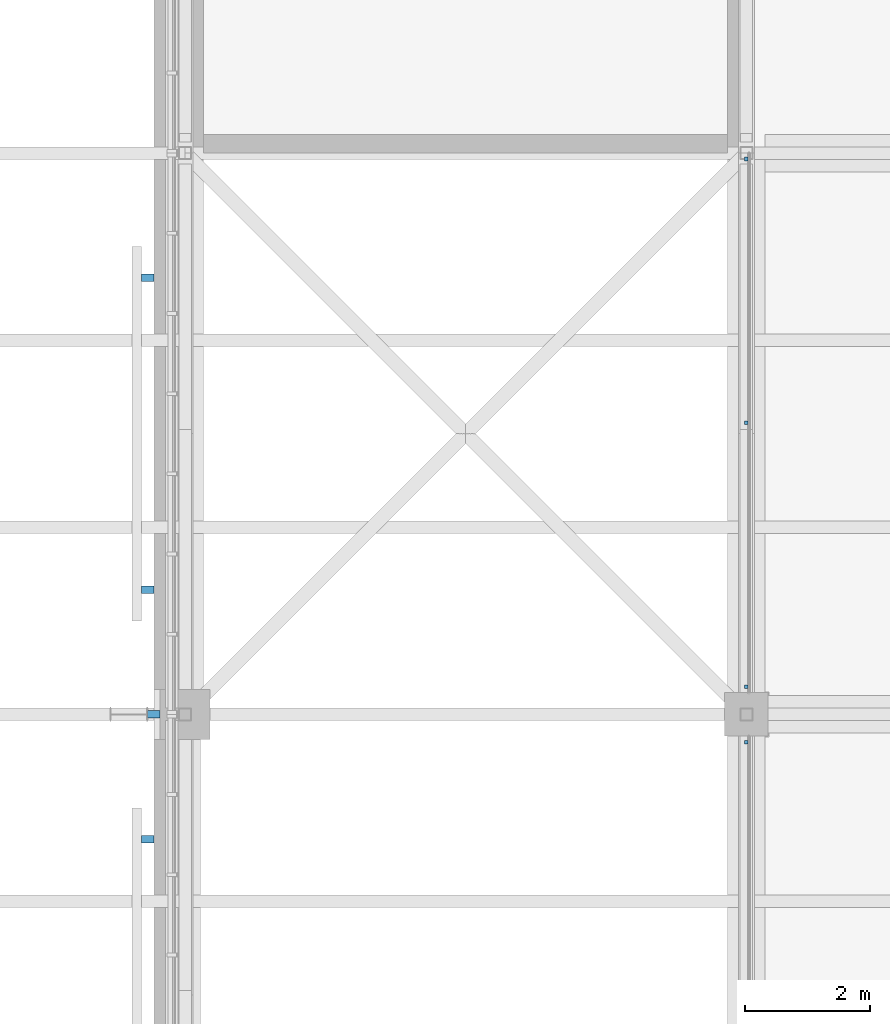
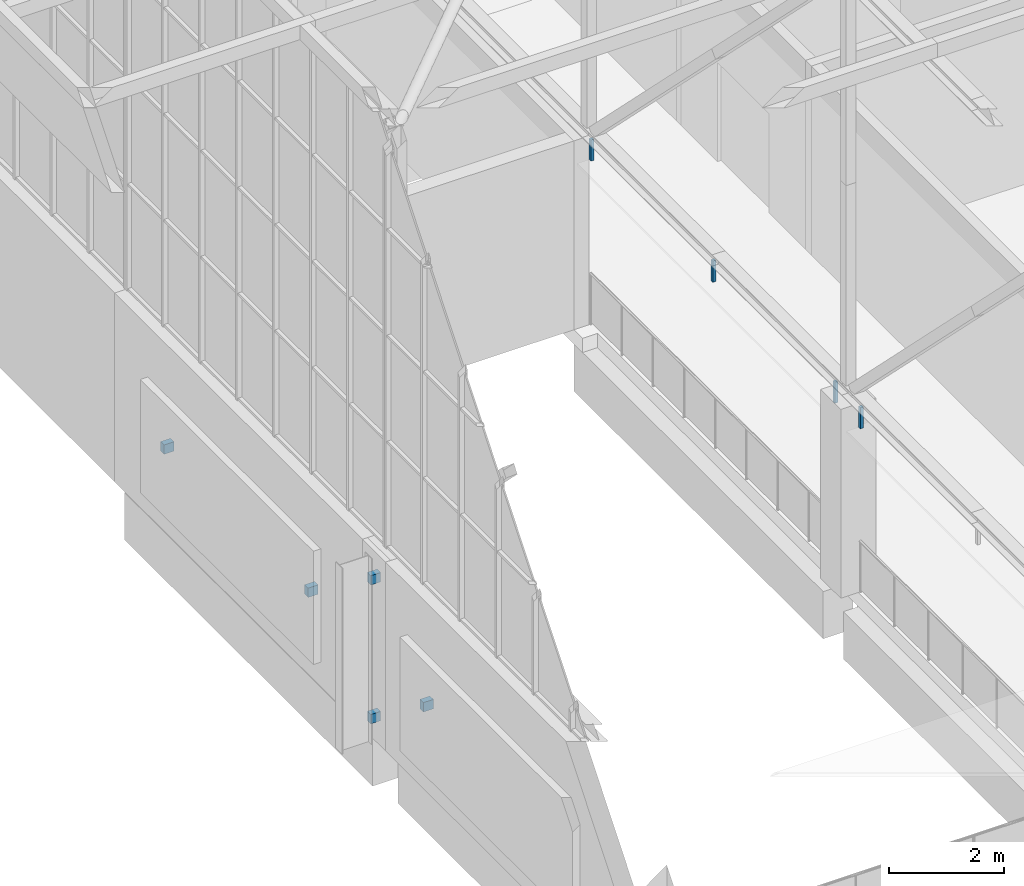
# One storey, part 183 of 646: 9 discrete accessories.
"""IFC4 building model written with IfcOpenShell, lengths in metres."""

import ifcopenshell
import ifcopenshell.guid

model = None  # the IFC model being written
_history = None  # IfcOwnerHistory: only IFC2X3 demands one
_inside = {}  # id of a spatial element -> (the spatial element, [elements in it])
_under = {}  # id of a project, library or spatial element -> (it, [spatial elements below it])
_declared = {}  # id of a project -> (the project, [libraries it declares])
_typed = {}  # id of a type object -> (the type object, [elements of that type])
_made_of = {}  # id of a material, layer set ... -> (it, [elements and type objects made of it])


def new_model(schema):
    """Start an empty IFC model of exactly this schema.

    Asked for "IFC4X3", IfcOpenShell would pick the latest addendum, in which some entities
    have other attributes; the version numbers below select the first issue.
    IFC2X3 requires an IfcOwnerHistory on every rooted entity: one is made here for all.
    """
    global model, _history
    if schema == "IFC4X3":
        model = ifcopenshell.file(schema_version=(4, 3, 0, 0))
    else:
        model = ifcopenshell.file(schema=schema)
    _inside.clear()
    _under.clear()
    _declared.clear()
    _typed.clear()
    _made_of.clear()
    _history = None
    if model.schema == "IFC2X3":
        org = make("IfcOrganization", Name="unknown")
        user = make(
            "IfcPersonAndOrganization",
            ThePerson=make("IfcPerson", FamilyName="unknown"),
            TheOrganization=org,
        )
        app = make(
            "IfcApplication",
            ApplicationDeveloper=org,
            Version="unknown",
            ApplicationFullName="unknown",
            ApplicationIdentifier="unknown",
        )
        _history = make(
            "IfcOwnerHistory",
            OwningUser=user,
            OwningApplication=app,
            ChangeAction="ADDED",
            CreationDate=0,
        )
    return model


def make(cls, **values):
    """One entity of the class cls with the attributes given. An attribute that is None is left unset."""
    return model.create_entity(
        cls, **{name: value for name, value in values.items() if value is not None}
    )


def rooted(cls, **values):
    """An entity with a GlobalId (a new one), such as an element, a storey or a relation."""
    return make(cls, GlobalId=ifcopenshell.guid.new(), OwnerHistory=_history, **values)


def si_unit(unit_type, name, prefix=None):
    """IfcSIUnit, for example si_unit("LENGTHUNIT", "METRE", prefix="MILLI")."""
    return make("IfcSIUnit", UnitType=unit_type, Prefix=prefix, Name=name)


def assignment(units):
    """IfcUnitAssignment: the units of a project."""
    return None if units is None else make("IfcUnitAssignment", Units=units)


def point(xyz):
    """IfcCartesianPoint."""
    return None if xyz is None else make("IfcCartesianPoint", Coordinates=xyz)


def direction(xyz):
    """IfcDirection."""
    return None if xyz is None else make("IfcDirection", DirectionRatios=xyz)


def frame(location, z_axis=None, x_axis=None):
    """IfcAxis2Placement3D, a coordinate frame: its origin and axes. An axis left out is left unset."""
    return make(
        "IfcAxis2Placement3D",
        Location=point(location),
        Axis=direction(z_axis),
        RefDirection=direction(x_axis),
    )


def frame_2d(location, x_axis=None):
    """IfcAxis2Placement2D, a coordinate frame in the plane: its origin and x axis."""
    return make(
        "IfcAxis2Placement2D", Location=point(location), RefDirection=direction(x_axis)
    )


def origin():
    """The frame at (0, 0, 0) with its axes left unset."""
    return frame((0.0, 0.0, 0.0))


def origin_2d():
    """The frame at (0, 0) in the plane with its x axis left unset."""
    return frame_2d((0.0, 0.0))


def place(relative_to, where):
    """IfcLocalPlacement: puts the frame where relative to a parent placement (None: the world)."""
    return make(
        "IfcLocalPlacement", PlacementRelTo=relative_to, RelativePlacement=where
    )


def context(
    kind, dimensions, precision=None, world=None, true_north=None, identifier=None
):
    """IfcGeometricRepresentationContext, for example the 3D "Model" context."""
    return make(
        "IfcGeometricRepresentationContext",
        ContextIdentifier=identifier,
        ContextType=kind,
        CoordinateSpaceDimension=dimensions,
        Precision=precision,
        WorldCoordinateSystem=world,
        TrueNorth=true_north,
    )


def subcontext(parent, identifier, kind, view, scale=None):
    """IfcGeometricRepresentationSubContext, for example "Body" below "Model"."""
    return make(
        "IfcGeometricRepresentationSubContext",
        ContextIdentifier=identifier,
        ContextType=kind,
        ParentContext=parent,
        TargetScale=scale,
        TargetView=view,
    )


def project(units=None, contexts=None):
    """IfcProject with its units and contexts."""
    return rooted(
        "IfcProject",
        Name="project",
        RepresentationContexts=contexts,
        UnitsInContext=assignment(units),
    )


def spatial(cls, under=None, at=None, **own):
    """A site, building, storey or space (cls), placed at a placement, below another one or the project."""
    s = rooted(cls, ObjectPlacement=at, **own)
    if under is not None:
        _under.setdefault(under.id(), (under, []))[1].append(s)
    return s


def profile(cls, at=None, kind="AREA", **sizes):
    """A parametric profile (cls). Its sizes go by their IFC names, for example OverallWidth=200.0."""
    return make(cls, ProfileType=kind, Position=at, **sizes)


def rectangle(**sizes):
    """IfcRectangleProfileDef."""
    return profile("IfcRectangleProfileDef", **sizes)


def extrude(swept, where, along, depth):
    """IfcExtrudedAreaSolid: the profile swept, set in the frame where, extruded along a direction by depth."""
    return make(
        "IfcExtrudedAreaSolid",
        SweptArea=swept,
        Position=where,
        ExtrudedDirection=direction(along),
        Depth=depth,
    )


def shape(context_of_items, identifier, shape_type, items):
    """IfcShapeRepresentation: the items that make up one representation, for example the "Body"."""
    return make(
        "IfcShapeRepresentation",
        ContextOfItems=context_of_items,
        RepresentationIdentifier=identifier,
        RepresentationType=shape_type,
        Items=items,
    )


def material(Name=None, Category=None):
    """IfcMaterial."""
    return make("IfcMaterial", Name=Name, Category=Category)


def made_of(thing, what):
    """Note that an element or type object is made of a material, layer set ...; save() writes the relation."""
    if what is not None:
        _made_of.setdefault(what.id(), (what, []))[1].append(thing)
    return thing


def type_object(cls, material=None, **own):
    """A type object (cls), such as IfcWallType, which elements share."""
    return made_of(rooted(cls, **own), material)


def element(
    cls,
    number,
    at=None,
    inside=None,
    cuts=None,
    type_object=None,
    material=None,
    context=None,
    identifier="Body",
    shape_type=None,
    held_by="IfcProductDefinitionShape",
    body=None,
    shapes=None,
    **own,
):
    """One element of the class cls, such as IfcWall. Its Tag is "e" and its number.

    at: its placement. inside: the storey or other place that contains it. cuts: it is an
    opening in that element (IfcRelVoidsElement). A single representation is given by context,
    identifier, shape_type and body (its items); several are given by shapes. held_by: the class
    of the entity that holds the representations. save() writes the other relations.
    """
    e = rooted(cls, Tag="e%d" % number, ObjectPlacement=at, **own)
    if body is not None:
        shapes = [shape(context, identifier, shape_type, body)]
    if shapes is not None:
        e.Representation = make(held_by, Representations=shapes)
    if inside is not None:
        _inside.setdefault(inside.id(), (inside, []))[1].append(e)
    if cuts is not None:
        rooted(
            "IfcRelVoidsElement", RelatingBuildingElement=cuts, RelatedOpeningElement=e
        )
    if type_object is not None:
        _typed.setdefault(type_object.id(), (type_object, []))[1].append(e)
    return made_of(e, material)


def aggregate(whole, parts):
    """IfcRelAggregates: a whole, such as a stair, and the parts it consists of."""
    return rooted("IfcRelAggregates", RelatingObject=whole, RelatedObjects=parts)


def save(model, path):
    """Write the relations noted so far, then the file.

    IfcRelAggregates (storeys below a building ...), IfcRelContainedInSpatialStructure (elements
    in a storey), IfcRelDefinesByType, IfcRelAssociatesMaterial and IfcRelDeclares: one each for
    every whole, place, type object, material and project.
    """
    for whole, parts in _under.values():
        aggregate(whole, parts)
    for where, things in _inside.values():
        rooted(
            "IfcRelContainedInSpatialStructure",
            RelatedElements=things,
            RelatingStructure=where,
        )
    for kind, things in _typed.values():
        rooted("IfcRelDefinesByType", RelatedObjects=things, RelatingType=kind)
    for what, things in _made_of.values():
        rooted("IfcRelAssociatesMaterial", RelatedObjects=things, RelatingMaterial=what)
    for by, libraries in _declared.values():
        rooted("IfcRelDeclares", RelatingContext=by, RelatedDefinitions=libraries)
    model.write(path)


model = new_model("IFC4")

# Units and contexts
model_context = context("Model", 3, precision=1e-05, world=origin(), true_north=direction((0.0, 1.0)))
body_context = subcontext(model_context, "Body", "Model", "MODEL_VIEW")
ifc_project = project(units=[si_unit("LENGTHUNIT", "METRE"), si_unit("AREAUNIT", "SQUARE_METRE"), si_unit("VOLUMEUNIT", "CUBIC_METRE"), si_unit("PLANEANGLEUNIT", "RADIAN"), si_unit("MASSUNIT", "GRAM", prefix="KILO")], contexts=[model_context])

# Site, building, storey
site_placement = place(None, origin())
site = spatial("IfcSite", under=ifc_project, at=site_placement, CompositionType="ELEMENT")
building_placement = place(site_placement, origin())
building = spatial("IfcBuilding", under=site, at=building_placement, Name="Silverbay Arena", CompositionType="ELEMENT")
storey_placement = place(building_placement, frame((0.0, 0.0, 33.5)))
storey = spatial("IfcBuildingStorey", under=building, at=storey_placement, Name="L05", CompositionType="ELEMENT", Elevation=33.5)

# Discrete accessories
ifc_material_1 = material(Name="Steel S355", Category="steel")
discrete_accessory_type_1 = type_object("IfcDiscreteAccessoryType", Name="Ceiling hanger", PredefinedType="BRACKET", material=ifc_material_1)
for number, where, z_axis, x_axis, name in (
    (1, (63.0, 44.554931640625, 3.5498046875), (0.0, 0.0, 1.0), (1.0, 0.0, 0.0), "Ceiling hanger"),
    (2, (63.0, 45.445068359375, 3.5498046875), (0.0, 0.0, 1.0), (1.0, 0.0, 0.0), "Ceiling hanger"),
    (3, (63.0, 49.675048828125, 3.5498046875), (0.0, 0.0, 1.0), (1.0, 0.0, 0.0), "Ceiling hanger"),
    (4, (63.0, 53.905029296875, 3.5498046875), (0.0, 0.0, 1.0), (1.0, 0.0, 0.0), "Ceiling hanger"),
):
    element("IfcDiscreteAccessory", number, at=place(storey_placement, frame(where, z_axis=z_axis, x_axis=x_axis)), inside=storey, type_object=discrete_accessory_type_1, Name=name, PredefinedType="BRACKET", context=body_context, shape_type="SweptSolid", body=[
        extrude(rectangle(XDim=0.06005859375, YDim=0.06005859375, at=origin_2d()), origin(), (0.0, 0.0, 1.0), 0.449951171875),
    ])
ifc_material_2 = material(Name="Steel S355", Category="steel")
discrete_accessory_type_2 = type_object("IfcDiscreteAccessoryType", Name="Steel bracket plate", PredefinedType="BRACKET", material=ifc_material_2)
for number, where, z_axis, x_axis, name in (
    (5, (53.39990234375, 43.0, 1.89990234375), (0.0, 0.0, 1.0), (0.0, 1.0, 0.0), "Louvre support bracket"),
    (6, (53.39990234375, 47.0, 1.89990234375), (0.0, 0.0, 1.0), (0.0, 1.0, 0.0), "Louvre support bracket"),
    (7, (53.39990234375, 52.0, 1.89990234375), (0.0, 0.0, 1.0), (0.0, 1.0, 0.0), "Louvre support bracket"),
):
    element("IfcDiscreteAccessory", number, at=place(storey_placement, frame(where, z_axis=z_axis, x_axis=x_axis)), inside=storey, type_object=discrete_accessory_type_2, Name=name, PredefinedType="BRACKET", context=body_context, shape_type="SweptSolid", body=[
        extrude(rectangle(XDim=0.1201171875, YDim=0.199951171875, at=origin_2d()), origin(), (0.0, 0.0, 1.0), 0.199951171875),
    ])
for number, where, z_axis, x_axis, name in (
    (8, (53.5, 45.0, 0.39990234375), (0.0, 0.0, 1.0), (1.0, 0.0, 0.0), "Fin bracket"),
    (9, (53.5, 45.0, 3.33984375), (0.0, 0.0, 1.0), (1.0, 0.0, 0.0), "Fin bracket"),
):
    element("IfcDiscreteAccessory", number, at=place(storey_placement, frame(where, z_axis=z_axis, x_axis=x_axis)), inside=storey, type_object=discrete_accessory_type_2, Name=name, PredefinedType="BRACKET", context=body_context, shape_type="SweptSolid", body=[
        extrude(rectangle(XDim=0.199951171875, YDim=0.1201171875, at=origin_2d()), origin(), (0.0, 0.0, 1.0), 0.199951171875),
    ])

save(model, "model.ifc")
